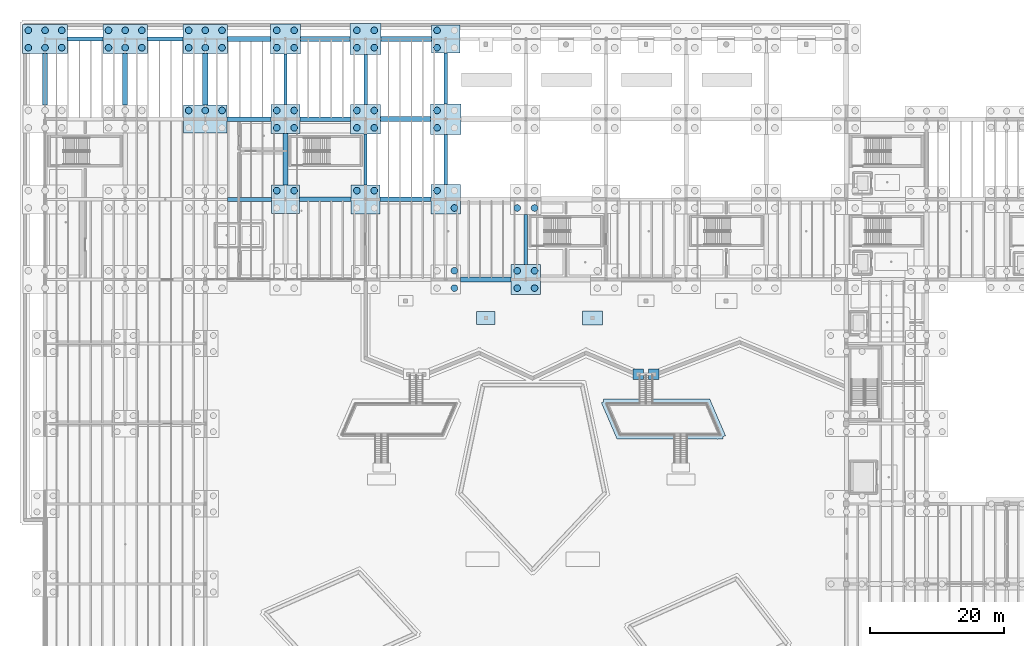
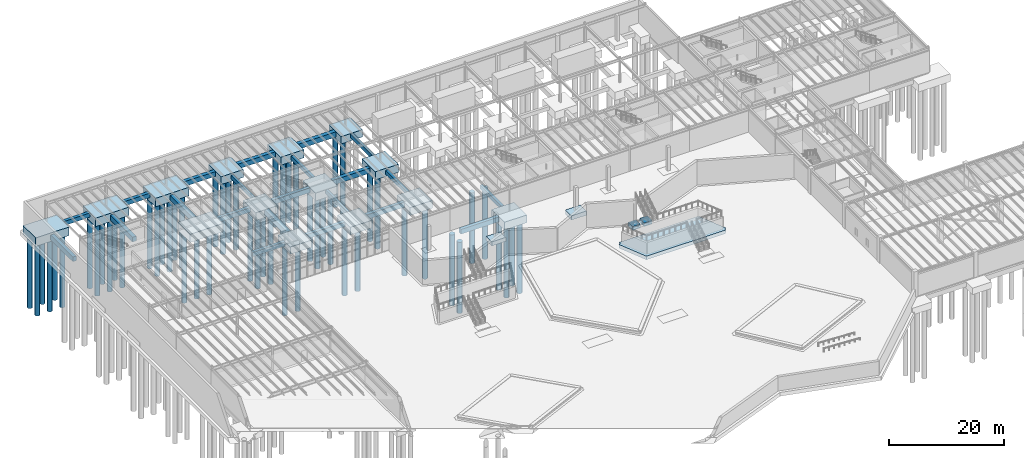
# One storey, part 5 of 67: 55 piles, 41 footings.
"""IFC4 building model written with IfcOpenShell, lengths in metres."""

from ifc_helpers import new_model, si_unit, direction, frame, origin, origin_2d, place, context, subcontext, project, spatial, polyline, rectangle, circle, outline, extrude, material, material_profile, profile_set, type_object, element, save


model = new_model("IFC4")

# Units and contexts
model_context = context("Model", 3, precision=1e-05, world=origin(), true_north=direction((0.0, 1.0)))
body_context = subcontext(model_context, "Body", "Model", "MODEL_VIEW")
ifc_project = project(units=[si_unit("LENGTHUNIT", "METRE"), si_unit("AREAUNIT", "SQUARE_METRE"), si_unit("VOLUMEUNIT", "CUBIC_METRE"), si_unit("PLANEANGLEUNIT", "RADIAN"), si_unit("MASSUNIT", "GRAM", prefix="KILO")], contexts=[model_context])

# Site, building, storey
site_placement = place(None, origin())
site = spatial("IfcSite", under=ifc_project, at=site_placement, CompositionType="ELEMENT")
building_placement = place(site_placement, origin())
building = spatial("IfcBuilding", under=site, at=building_placement, Name="Zlatogorsky Bluff Art Gallery", CompositionType="ELEMENT")
storey_placement = place(building_placement, frame((0.0, 0.0, -5.39990234375)))
storey = spatial("IfcBuildingStorey", under=building, at=storey_placement, Name="B1", CompositionType="ELEMENT", Elevation=-5.39990234375)

# Piles
ifc_material = material(Name="Concrete C35/45", Category="concrete")
ifc_material_profile = material_profile(ifc_material, circle(Radius=0.5, at=origin_2d()), Name="BORED PILE D1000")
ifc_profile_set = profile_set([ifc_material_profile], Name="Concrete C35/45")
pile_type = type_object("IfcPileType", Name="Bored Pile D1000 C35/45", PredefinedType="BORED", material=ifc_profile_set)
for number, where, z_axis, x_axis, name in (
    (1, (-2.5, 118.699951171875, -1.7001953125), (0.0, 0.0, -1.0), (1.0, 0.0, 0.0), "Bored pile PL-02 00.11.1"),
    (2, (0.0, 118.699951171875, -1.7001953125), (0.0, 0.0, -1.0), (1.0, 0.0, 0.0), "Bored pile PL-02 00.11.2"),
    (3, (2.5, 118.699951171875, -1.7001953125), (0.0, 0.0, -1.0), (1.0, 0.0, 0.0), "Bored pile PL-02 00.11.3"),
    (4, (-2.5, 121.300048828125, -1.7001953125), (0.0, 0.0, -1.0), (1.0, 0.0, 0.0), "Bored pile PL-02 00.11.4"),
    (5, (0.0, 121.300048828125, -1.7001953125), (0.0, 0.0, -1.0), (1.0, 0.0, 0.0), "Bored pile PL-02 00.11.5"),
    (6, (2.5, 121.300048828125, -1.7001953125), (0.0, 0.0, -1.0), (1.0, 0.0, 0.0), "Bored pile PL-02 00.11.6"),
    (7, (9.5, 118.699951171875, -1.7001953125), (0.0, 0.0, -1.0), (1.0, 0.0, 0.0), "Bored pile PL-02 01.11.1"),
    (8, (12.0, 118.699951171875, -1.7001953125), (0.0, 0.0, -1.0), (1.0, 0.0, 0.0), "Bored pile PL-02 01.11.2"),
    (9, (14.5, 118.699951171875, -1.7001953125), (0.0, 0.0, -1.0), (1.0, 0.0, 0.0), "Bored pile PL-02 01.11.3"),
    (10, (9.5, 121.300048828125, -1.7001953125), (0.0, 0.0, -1.0), (1.0, 0.0, 0.0), "Bored pile PL-02 01.11.4"),
    (11, (12.0, 121.300048828125, -1.7001953125), (0.0, 0.0, -1.0), (1.0, 0.0, 0.0), "Bored pile PL-02 01.11.5"),
    (12, (14.5, 121.300048828125, -1.7001953125), (0.0, 0.0, -1.0), (1.0, 0.0, 0.0), "Bored pile PL-02 01.11.6"),
):
    element("IfcPile", number, at=place(storey_placement, frame(where, z_axis=z_axis, x_axis=x_axis)), inside=storey, type_object=pile_type, Name=name, PredefinedType="BORED", context=body_context, shape_type="SweptSolid", body=[
        extrude(circle(Radius=0.5, at=origin_2d()), origin(), (0.0, 0.0, 1.0), 15.300048828125),
    ])
for number, where, z_axis, x_axis, name in (
    (13, (21.5, 109.300048828125, -2.050048828125), (0.0, 0.0, -1.0), (1.0, 0.0, 0.0), "Bored pile PL-02 02.10.4"),
    (14, (24.0, 109.300048828125, -2.050048828125), (0.0, 0.0, -1.0), (1.0, 0.0, 0.0), "Bored pile PL-02 02.10.5"),
    (15, (26.5, 109.300048828125, -2.050048828125), (0.0, 0.0, -1.0), (1.0, 0.0, 0.0), "Bored pile PL-02 02.10.6"),
):
    element("IfcPile", number, at=place(storey_placement, frame(where, z_axis=z_axis, x_axis=x_axis)), inside=storey, type_object=pile_type, Name=name, PredefinedType="BORED", context=body_context, shape_type="SweptSolid", body=[
        extrude(circle(Radius=0.5, at=origin_2d()), origin(), (0.0, 0.0, 1.0), 14.949951171875),
    ])
for number, where, z_axis, x_axis, name in (
    (16, (21.5, 118.699951171875, -1.7001953125), (0.0, 0.0, -1.0), (1.0, 0.0, 0.0), "Bored pile PL-02 02.11.1"),
    (17, (24.0, 118.699951171875, -1.7001953125), (0.0, 0.0, -1.0), (1.0, 0.0, 0.0), "Bored pile PL-02 02.11.2"),
    (18, (26.5, 118.699951171875, -1.7001953125), (0.0, 0.0, -1.0), (1.0, 0.0, 0.0), "Bored pile PL-02 02.11.3"),
    (19, (21.5, 121.300048828125, -1.7001953125), (0.0, 0.0, -1.0), (1.0, 0.0, 0.0), "Bored pile PL-02 02.11.4"),
    (20, (24.0, 121.300048828125, -1.7001953125), (0.0, 0.0, -1.0), (1.0, 0.0, 0.0), "Bored pile PL-02 02.11.5"),
    (21, (26.5, 121.300048828125, -1.7001953125), (0.0, 0.0, -1.0), (1.0, 0.0, 0.0), "Bored pile PL-02 02.11.6"),
):
    element("IfcPile", number, at=place(storey_placement, frame(where, z_axis=z_axis, x_axis=x_axis)), inside=storey, type_object=pile_type, Name=name, PredefinedType="BORED", context=body_context, shape_type="SweptSolid", body=[
        extrude(circle(Radius=0.5, at=origin_2d()), origin(), (0.0, 0.0, 1.0), 15.300048828125),
    ])
for number, where, z_axis, x_axis, name in (
    (22, (34.699951171875, 97.300048828125, -1.85009765625), (0.0, 0.0, -1.0), (1.0, 0.0, 0.0), "Bored pile PL-02 03.09.2"),
    (23, (37.300048828125, 97.300048828125, -1.85009765625), (0.0, 0.0, -1.0), (1.0, 0.0, 0.0), "Bored pile PL-02 03.09.4"),
):
    element("IfcPile", number, at=place(storey_placement, frame(where, z_axis=z_axis, x_axis=x_axis)), inside=storey, type_object=pile_type, Name=name, PredefinedType="BORED", context=body_context, shape_type="SweptSolid", body=[
        extrude(circle(Radius=0.5, at=origin_2d()), origin(), (0.0, 0.0, 1.0), 15.14990234375),
    ])
for number, where, z_axis, x_axis, name in (
    (24, (34.699951171875, 106.699951171875, -1.900146484375), (0.0, 0.0, -1.0), (1.0, 0.0, 0.0), "Bored pile PL-02 03.10.1"),
    (25, (34.699951171875, 109.300048828125, -1.900146484375), (0.0, 0.0, -1.0), (1.0, 0.0, 0.0), "Bored pile PL-02 03.10.2"),
    (26, (37.300048828125, 106.699951171875, -1.900146484375), (0.0, 0.0, -1.0), (1.0, 0.0, 0.0), "Bored pile PL-02 03.10.3"),
    (27, (37.300048828125, 109.300048828125, -1.900146484375), (0.0, 0.0, -1.0), (1.0, 0.0, 0.0), "Bored pile PL-02 03.10.4"),
):
    element("IfcPile", number, at=place(storey_placement, frame(where, z_axis=z_axis, x_axis=x_axis)), inside=storey, type_object=pile_type, Name=name, PredefinedType="BORED", context=body_context, shape_type="SweptSolid", body=[
        extrude(circle(Radius=0.5, at=origin_2d()), origin(), (0.0, 0.0, 1.0), 15.10009765625),
    ])
for number, where, z_axis, x_axis, name in (
    (28, (34.699951171875, 118.699951171875, -1.550048828125), (0.0, 0.0, -1.0), (1.0, 0.0, 0.0), "Bored pile PL-02 03.11.1"),
    (29, (34.699951171875, 121.300048828125, -1.550048828125), (0.0, 0.0, -1.0), (1.0, 0.0, 0.0), "Bored pile PL-02 03.11.2"),
    (30, (37.300048828125, 118.699951171875, -1.550048828125), (0.0, 0.0, -1.0), (1.0, 0.0, 0.0), "Bored pile PL-02 03.11.3"),
    (31, (37.300048828125, 121.300048828125, -1.550048828125), (0.0, 0.0, -1.0), (1.0, 0.0, 0.0), "Bored pile PL-02 03.11.4"),
):
    element("IfcPile", number, at=place(storey_placement, frame(where, z_axis=z_axis, x_axis=x_axis)), inside=storey, type_object=pile_type, Name=name, PredefinedType="BORED", context=body_context, shape_type="SweptSolid", body=[
        extrude(circle(Radius=0.5, at=origin_2d()), origin(), (0.0, 0.0, 1.0), 15.449951171875),
    ])
for number, where, z_axis, x_axis, name in (
    (32, (46.699951171875, 97.300048828125, -1.900146484375), (0.0, 0.0, -1.0), (1.0, 0.0, 0.0), "Bored pile PL-02 04.09.2"),
    (33, (49.300048828125, 97.300048828125, -1.900146484375), (0.0, 0.0, -1.0), (1.0, 0.0, 0.0), "Bored pile PL-02 04.09.4"),
):
    element("IfcPile", number, at=place(storey_placement, frame(where, z_axis=z_axis, x_axis=x_axis)), inside=storey, type_object=pile_type, Name=name, PredefinedType="BORED", context=body_context, shape_type="SweptSolid", body=[
        extrude(circle(Radius=0.5, at=origin_2d()), origin(), (0.0, 0.0, 1.0), 15.10009765625),
    ])
for number, where, z_axis, x_axis, name in (
    (34, (46.699951171875, 106.699951171875, -1.9501953125), (0.0, 0.0, -1.0), (1.0, 0.0, 0.0), "Bored pile PL-02 04.10.1"),
    (35, (46.699951171875, 109.300048828125, -1.9501953125), (0.0, 0.0, -1.0), (1.0, 0.0, 0.0), "Bored pile PL-02 04.10.2"),
    (36, (49.300048828125, 106.699951171875, -1.9501953125), (0.0, 0.0, -1.0), (1.0, 0.0, 0.0), "Bored pile PL-02 04.10.3"),
    (37, (49.300048828125, 109.300048828125, -1.9501953125), (0.0, 0.0, -1.0), (1.0, 0.0, 0.0), "Bored pile PL-02 04.10.4"),
):
    element("IfcPile", number, at=place(storey_placement, frame(where, z_axis=z_axis, x_axis=x_axis)), inside=storey, type_object=pile_type, Name=name, PredefinedType="BORED", context=body_context, shape_type="SweptSolid", body=[
        extrude(circle(Radius=0.5, at=origin_2d()), origin(), (0.0, 0.0, 1.0), 15.050048828125),
    ])
for number, where, z_axis, x_axis, name in (
    (38, (46.699951171875, 118.699951171875, -1.60009765625), (0.0, 0.0, -1.0), (1.0, 0.0, 0.0), "Bored pile PL-02 04.11.1"),
    (39, (46.699951171875, 121.300048828125, -1.60009765625), (0.0, 0.0, -1.0), (1.0, 0.0, 0.0), "Bored pile PL-02 04.11.2"),
    (40, (49.300048828125, 118.699951171875, -1.60009765625), (0.0, 0.0, -1.0), (1.0, 0.0, 0.0), "Bored pile PL-02 04.11.3"),
    (41, (49.300048828125, 121.300048828125, -1.60009765625), (0.0, 0.0, -1.0), (1.0, 0.0, 0.0), "Bored pile PL-02 04.11.4"),
):
    element("IfcPile", number, at=place(storey_placement, frame(where, z_axis=z_axis, x_axis=x_axis)), inside=storey, type_object=pile_type, Name=name, PredefinedType="BORED", context=body_context, shape_type="SweptSolid", body=[
        extrude(circle(Radius=0.5, at=origin_2d()), origin(), (0.0, 0.0, 1.0), 15.39990234375),
    ])
for number, where, z_axis, x_axis, name in (
    (42, (61.300048828125, 82.699951171875, -1.900146484375), (0.0, 0.0, -1.0), (1.0, 0.0, 0.0), "Bored pile PL-02 05.08.3"),
    (43, (61.300048828125, 85.300048828125, -1.900146484375), (0.0, 0.0, -1.0), (1.0, 0.0, 0.0), "Bored pile PL-02 05.08.4"),
):
    element("IfcPile", number, at=place(storey_placement, frame(where, z_axis=z_axis, x_axis=x_axis)), inside=storey, type_object=pile_type, Name=name, PredefinedType="BORED", context=body_context, shape_type="SweptSolid", body=[
        extrude(circle(Radius=0.5, at=origin_2d()), origin(), (0.0, 0.0, 1.0), 15.10009765625),
    ])
for number, where, z_axis, x_axis, name in (
    (44, (58.699951171875, 97.300048828125, -1.9501953125), (0.0, 0.0, -1.0), (1.0, 0.0, 0.0), "Bored pile PL-02 05.09.2"),
    (45, (61.300048828125, 94.699951171875, -1.9501953125), (0.0, 0.0, -1.0), (1.0, 0.0, 0.0), "Bored pile PL-02 05.09.3"),
):
    element("IfcPile", number, at=place(storey_placement, frame(where, z_axis=z_axis, x_axis=x_axis)), inside=storey, type_object=pile_type, Name=name, PredefinedType="BORED", context=body_context, shape_type="SweptSolid", body=[
        extrude(circle(Radius=0.5, at=origin_2d()), origin(), (0.0, 0.0, 1.0), 15.050048828125),
    ])
for number, where, z_axis, x_axis, name in (
    (46, (58.699951171875, 106.699951171875, -1.60009765625), (0.0, 0.0, -1.0), (1.0, 0.0, 0.0), "Bored pile PL-02 05.10.1"),
    (47, (58.699951171875, 109.300048828125, -1.60009765625), (0.0, 0.0, -1.0), (1.0, 0.0, 0.0), "Bored pile PL-02 05.10.2"),
):
    element("IfcPile", number, at=place(storey_placement, frame(where, z_axis=z_axis, x_axis=x_axis)), inside=storey, type_object=pile_type, Name=name, PredefinedType="BORED", context=body_context, shape_type="SweptSolid", body=[
        extrude(circle(Radius=0.5, at=origin_2d()), origin(), (0.0, 0.0, 1.0), 15.39990234375),
    ])
for number, where, z_axis, x_axis, name in (
    (48, (58.699951171875, 118.699951171875, -1.4501953125), (0.0, 0.0, -1.0), (1.0, 0.0, 0.0), "Bored pile PL-02 05.11.1"),
    (49, (58.699951171875, 121.300048828125, -1.4501953125), (0.0, 0.0, -1.0), (1.0, 0.0, 0.0), "Bored pile PL-02 05.11.2"),
):
    element("IfcPile", number, at=place(storey_placement, frame(where, z_axis=z_axis, x_axis=x_axis)), inside=storey, type_object=pile_type, Name=name, PredefinedType="BORED", context=body_context, shape_type="SweptSolid", body=[
        extrude(circle(Radius=0.5, at=origin_2d()), origin(), (0.0, 0.0, 1.0), 15.550048828125),
    ])
for number, where, z_axis, x_axis, name in (
    (50, (70.699951171875, 82.699951171875, -1.9501953125), (0.0, 0.0, -1.0), (1.0, 0.0, 0.0), "Bored pile PL-02 06.08.1"),
    (51, (70.699951171875, 85.300048828125, -1.9501953125), (0.0, 0.0, -1.0), (1.0, 0.0, 0.0), "Bored pile PL-02 06.08.2"),
    (52, (73.300048828125, 82.699951171875, -1.9501953125), (0.0, 0.0, -1.0), (1.0, 0.0, 0.0), "Bored pile PL-02 06.08.3"),
    (53, (73.300048828125, 85.300048828125, -1.9501953125), (0.0, 0.0, -1.0), (1.0, 0.0, 0.0), "Bored pile PL-02 06.08.4"),
):
    element("IfcPile", number, at=place(storey_placement, frame(where, z_axis=z_axis, x_axis=x_axis)), inside=storey, type_object=pile_type, Name=name, PredefinedType="BORED", context=body_context, shape_type="SweptSolid", body=[
        extrude(circle(Radius=0.5, at=origin_2d()), origin(), (0.0, 0.0, 1.0), 15.050048828125),
    ])
for number, where, z_axis, x_axis, name in (
    (54, (70.699951171875, 94.699951171875, -2.0), (0.0, 0.0, -1.0), (1.0, 0.0, 0.0), "Bored pile PL-02 06.09.1"),
    (55, (73.300048828125, 94.699951171875, -2.0), (0.0, 0.0, -1.0), (1.0, 0.0, 0.0), "Bored pile PL-02 06.09.3"),
):
    element("IfcPile", number, at=place(storey_placement, frame(where, z_axis=z_axis, x_axis=x_axis)), inside=storey, type_object=pile_type, Name=name, PredefinedType="BORED", context=body_context, shape_type="SweptSolid", body=[
        extrude(circle(Radius=0.5, at=origin_2d()), origin(), (0.0, 0.0, 1.0), 15.0),
    ])

# Footings
footing_type_1 = type_object("IfcFootingType", Name="Foundation FB-01 450x750", PredefinedType="FOOTING_BEAM", material=ifc_material)
footing_1_placement = place(storey_placement, frame((0.0, 0.0, -1.150146484375)))
element("IfcFooting", 56, at=footing_1_placement, inside=storey, type_object=footing_type_1, Name="Ground tie beam FB-01 D/11-12", PredefinedType="FOOTING_BEAM", context=body_context, shape_type="SweptSolid", body=[
    extrude(outline(polyline([(35.77490234375, 110.175048828125), (36.22509765625, 110.175048828125), (36.22509765625, 117.77490234375), (35.77490234375, 117.77490234375), (35.77490234375, 110.175048828125)])), origin(), (0.0, 0.0, 1.0), 0.75),
])
footing_2_placement = place(storey_placement, frame((0.0, 0.0, -1.150146484375)))
element("IfcFooting", 57, at=footing_2_placement, inside=storey, type_object=footing_type_1, Name="Ground tie beam FB-01 E/10-11", PredefinedType="FOOTING_BEAM", context=body_context, shape_type="SweptSolid", body=[
    extrude(outline(polyline([(47.77490234375, 98.175048828125), (48.22509765625, 98.175048828125), (48.22509765625, 105.77490234375), (47.77490234375, 105.77490234375), (47.77490234375, 98.175048828125)])), origin(), (0.0, 0.0, 1.0), 0.75),
])
footing_type_2 = type_object("IfcFootingType", Name="Foundation FB-02 500x800", PredefinedType="FOOTING_BEAM", material=ifc_material)
footing_3_placement = place(storey_placement, frame((0.0, 0.0, -1.2001953125)))
element("IfcFooting", 58, at=footing_3_placement, inside=storey, type_object=footing_type_2, Name="Ground tie beam FB-02 E/11-12", PredefinedType="FOOTING_BEAM", context=body_context, shape_type="SweptSolid", body=[
    extrude(outline(polyline([(47.75, 110.22509765625), (48.25, 110.22509765625), (48.25, 117.699951171875), (47.75, 117.699951171875), (47.75, 110.22509765625)])), origin(), (0.0, 0.0, 1.0), 0.800048828125),
])
footing_4_placement = place(storey_placement, frame((0.0, 0.0, -1.2001953125)))
element("IfcFooting", 59, at=footing_4_placement, inside=storey, type_object=footing_type_2, Name="Ground tie beam FB-02 F/10-11", PredefinedType="FOOTING_BEAM", context=body_context, shape_type="SweptSolid", body=[
    extrude(outline(polyline([(59.75, 98.22509765625), (60.25, 98.22509765625), (60.25, 105.699951171875), (59.75, 105.699951171875), (59.75, 98.22509765625)])), origin(), (0.0, 0.0, 1.0), 0.800048828125),
])
footing_5_placement = place(storey_placement, frame((0.0, 0.0, -1.2001953125)))
element("IfcFooting", 60, at=footing_5_placement, inside=storey, type_object=footing_type_2, Name="Ground tie beam FB-02 G/9-10", PredefinedType="FOOTING_BEAM", context=body_context, shape_type="SweptSolid", body=[
    extrude(outline(polyline([(71.75, 86.22509765625), (72.25, 86.22509765625), (72.25, 93.699951171875), (71.75, 93.699951171875), (71.75, 86.22509765625)])), origin(), (0.0, 0.0, 1.0), 0.800048828125),
])
footing_type_3 = type_object("IfcFootingType", Name="Foundation FB-03 550x850", PredefinedType="FOOTING_BEAM", material=ifc_material)
footing_6_placement = place(storey_placement, frame((0.0, 0.0, -0.85009765625)))
element("IfcFooting", 61, at=footing_6_placement, inside=storey, type_object=footing_type_3, Name="Ground tie beam FB-03 F/11-12", PredefinedType="FOOTING_BEAM", context=body_context, shape_type="SweptSolid", body=[
    extrude(outline(polyline([(59.72509765625, 110.300048828125), (60.27490234375, 110.300048828125), (60.27490234375, 117.875), (59.72509765625, 117.875), (59.72509765625, 110.300048828125)])), origin(), (0.0, 0.0, 1.0), 0.85009765625),
])
footing_type_4 = type_object("IfcFootingType", Name="Foundation FB-04 600x900", PredefinedType="FOOTING_BEAM", material=ifc_material)
footing_7_placement = place(storey_placement, frame((0.0, 0.0, -0.900146484375)))
element("IfcFooting", 62, at=footing_7_placement, inside=storey, type_object=footing_type_4, Name="Ground tie beam FB-04 A-B/12", PredefinedType="FOOTING_BEAM", context=body_context, shape_type="SweptSolid", body=[
    extrude(outline(polyline([(3.35009765625, 119.699951171875), (8.64990234375, 119.699951171875), (8.64990234375, 120.300048828125), (3.35009765625, 120.300048828125), (3.35009765625, 119.699951171875)])), origin(), (0.0, 0.0, 1.0), 0.900146484375),
])
footing_8_placement = place(storey_placement, frame((0.0, 0.0, -1.300048828125)))
element("IfcFooting", 63, at=footing_8_placement, inside=storey, type_object=footing_type_4, Name="Ground tie beam FB-04 C-D/10", PredefinedType="FOOTING_BEAM", context=body_context, shape_type="SweptSolid", body=[
    extrude(outline(polyline([(27.35009765625, 95.699951171875), (33.875, 95.699951171875), (33.875, 96.300048828125), (27.35009765625, 96.300048828125), (27.35009765625, 95.699951171875)])), origin(), (0.0, 0.0, 1.0), 0.89990234375),
])
footing_type_5 = type_object("IfcFootingType", Name="Foundation FB-05 650x950", PredefinedType="FOOTING_BEAM", material=ifc_material)
footing_9_placement = place(storey_placement, frame((0.0, 0.0, -0.9501953125)))
element("IfcFooting", 64, at=footing_9_placement, inside=storey, type_object=footing_type_5, Name="Ground tie beam FB-05 B-C/12", PredefinedType="FOOTING_BEAM", context=body_context, shape_type="SweptSolid", body=[
    extrude(outline(polyline([(15.35009765625, 119.675048828125), (20.64990234375, 119.675048828125), (20.64990234375, 120.324951171875), (15.35009765625, 120.324951171875), (15.35009765625, 119.675048828125)])), origin(), (0.0, 0.0, 1.0), 0.9501953125),
])
footing_10_placement = place(storey_placement, frame((0.0, 0.0, -1.35009765625)))
element("IfcFooting", 65, at=footing_10_placement, inside=storey, type_object=footing_type_5, Name="Ground tie beam FB-05 C-D/11", PredefinedType="FOOTING_BEAM", context=body_context, shape_type="SweptSolid", body=[
    extrude(outline(polyline([(27.27490234375, 107.675048828125), (33.824951171875, 107.675048828125), (33.824951171875, 108.324951171875), (27.27490234375, 108.324951171875), (27.27490234375, 107.675048828125)])), origin(), (0.0, 0.0, 1.0), 0.949951171875),
])
footing_11_placement = place(storey_placement, frame((0.0, 0.0, -1.35009765625)))
element("IfcFooting", 66, at=footing_11_placement, inside=storey, type_object=footing_type_5, Name="Ground tie beam FB-05 D-E/10", PredefinedType="FOOTING_BEAM", context=body_context, shape_type="SweptSolid", body=[
    extrude(outline(polyline([(38.125, 95.675048828125), (45.824951171875, 95.675048828125), (45.824951171875, 96.324951171875), (38.125, 96.324951171875), (38.125, 95.675048828125)])), origin(), (0.0, 0.0, 1.0), 0.949951171875),
])
footing_type_6 = type_object("IfcFootingType", Name="Foundation FB-06 700x1000", PredefinedType="FOOTING_BEAM", material=ifc_material)
footing_12_placement = place(storey_placement, frame((0.0, 0.0, -1.400146484375)))
element("IfcFooting", 67, at=footing_12_placement, inside=storey, type_object=footing_type_6, Name="Ground tie beam FB-06 A/11-12", PredefinedType="FOOTING_BEAM", context=body_context, shape_type="SweptSolid", body=[
    extrude(outline(polyline([(-0.35009765625, 110.10009765625), (0.35009765625, 110.10009765625), (0.35009765625, 117.824951171875), (-0.35009765625, 117.824951171875), (-0.35009765625, 110.10009765625)])), origin(), (0.0, 0.0, 1.0), 1.0),
])
footing_13_placement = place(storey_placement, frame((0.0, 0.0, -1.0)))
element("IfcFooting", 68, at=footing_13_placement, inside=storey, type_object=footing_type_6, Name="Ground tie beam FB-06 C-D/12", PredefinedType="FOOTING_BEAM", context=body_context, shape_type="SweptSolid", body=[
    extrude(outline(polyline([(27.35009765625, 119.64990234375), (33.77490234375, 119.64990234375), (33.77490234375, 120.35009765625), (27.35009765625, 120.35009765625), (27.35009765625, 119.64990234375)])), origin(), (0.0, 0.0, 1.0), 1.0),
])
footing_14_placement = place(storey_placement, frame((0.0, 0.0, -1.400146484375)))
element("IfcFooting", 69, at=footing_14_placement, inside=storey, type_object=footing_type_6, Name="Ground tie beam FB-06 D-E/11", PredefinedType="FOOTING_BEAM", context=body_context, shape_type="SweptSolid", body=[
    extrude(outline(polyline([(38.175048828125, 107.64990234375), (45.77490234375, 107.64990234375), (45.77490234375, 108.35009765625), (38.175048828125, 108.35009765625), (38.175048828125, 107.64990234375)])), origin(), (0.0, 0.0, 1.0), 1.0),
])
footing_15_placement = place(storey_placement, frame((0.0, 0.0, -1.400146484375)))
element("IfcFooting", 70, at=footing_15_placement, inside=storey, type_object=footing_type_6, Name="Ground tie beam FB-06 E-F/10", PredefinedType="FOOTING_BEAM", context=body_context, shape_type="SweptSolid", body=[
    extrude(outline(polyline([(50.175048828125, 95.64990234375), (57.77490234375, 95.64990234375), (57.77490234375, 96.35009765625), (50.175048828125, 96.35009765625), (50.175048828125, 95.64990234375)])), origin(), (0.0, 0.0, 1.0), 1.0),
])
footing_16_placement = place(storey_placement, frame((0.0, 0.0, -1.400146484375)))
element("IfcFooting", 71, at=footing_16_placement, inside=storey, type_object=footing_type_6, Name="Ground tie beam FB-06 F-G/9", PredefinedType="FOOTING_BEAM", context=body_context, shape_type="SweptSolid", body=[
    extrude(outline(polyline([(62.175048828125, 83.64990234375), (69.77490234375, 83.64990234375), (69.77490234375, 84.35009765625), (62.175048828125, 84.35009765625), (62.175048828125, 83.64990234375)])), origin(), (0.0, 0.0, 1.0), 1.0),
])
footing_type_7 = type_object("IfcFootingType", Name="Foundation FB-07 750x1050", PredefinedType="FOOTING_BEAM", material=ifc_material)
footing_17_placement = place(storey_placement, frame((0.0, 0.0, -1.4501953125)))
element("IfcFooting", 72, at=footing_17_placement, inside=storey, type_object=footing_type_7, Name="Ground tie beam FB-07 B/11-12", PredefinedType="FOOTING_BEAM", context=body_context, shape_type="SweptSolid", body=[
    extrude(outline(polyline([(11.625, 110.10009765625), (12.375, 110.10009765625), (12.375, 117.824951171875), (11.625, 117.824951171875), (11.625, 110.10009765625)])), origin(), (0.0, 0.0, 1.0), 1.050048828125),
])
footing_18_placement = place(storey_placement, frame((0.0, 0.0, -1.050048828125)))
element("IfcFooting", 73, at=footing_18_placement, inside=storey, type_object=footing_type_7, Name="Ground tie beam FB-07 D-E/12", PredefinedType="FOOTING_BEAM", context=body_context, shape_type="SweptSolid", body=[
    extrude(outline(polyline([(38.22509765625, 119.625), (45.699951171875, 119.625), (45.699951171875, 120.375), (38.22509765625, 120.375), (38.22509765625, 119.625)])), origin(), (0.0, 0.0, 1.0), 1.050048828125),
])
footing_19_placement = place(storey_placement, frame((0.0, 0.0, -1.4501953125)))
element("IfcFooting", 74, at=footing_19_placement, inside=storey, type_object=footing_type_7, Name="Ground tie beam FB-07 E-F/11", PredefinedType="FOOTING_BEAM", context=body_context, shape_type="SweptSolid", body=[
    extrude(outline(polyline([(50.22509765625, 107.625), (57.699951171875, 107.625), (57.699951171875, 108.375), (50.22509765625, 108.375), (50.22509765625, 107.625)])), origin(), (0.0, 0.0, 1.0), 1.050048828125),
])
footing_type_8 = type_object("IfcFootingType", Name="Foundation FB-08 800x1100", PredefinedType="FOOTING_BEAM", material=ifc_material)
footing_20_placement = place(storey_placement, frame((0.0, 0.0, -1.5)))
element("IfcFooting", 75, at=footing_20_placement, inside=storey, type_object=footing_type_8, Name="Ground tie beam FB-08 C/11-12", PredefinedType="FOOTING_BEAM", context=body_context, shape_type="SweptSolid", body=[
    extrude(outline(polyline([(23.60009765625, 110.10009765625), (24.39990234375, 110.10009765625), (24.39990234375, 117.824951171875), (23.60009765625, 117.824951171875), (23.60009765625, 110.10009765625)])), origin(), (0.0, 0.0, 1.0), 1.099853515625),
])
footing_21_placement = place(storey_placement, frame((0.0, 0.0, -1.5)))
element("IfcFooting", 76, at=footing_21_placement, inside=storey, type_object=footing_type_8, Name="Ground tie beam FB-08 D/10-11", PredefinedType="FOOTING_BEAM", context=body_context, shape_type="SweptSolid", body=[
    extrude(outline(polyline([(35.60009765625, 98.125), (36.39990234375, 98.125), (36.39990234375, 105.824951171875), (35.60009765625, 105.824951171875), (35.60009765625, 98.125)])), origin(), (0.0, 0.0, 1.0), 1.099853515625),
])
footing_22_placement = place(storey_placement, frame((0.0, 0.0, -1.10009765625)))
element("IfcFooting", 77, at=footing_22_placement, inside=storey, type_object=footing_type_8, Name="Ground tie beam FB-08 E-F/12", PredefinedType="FOOTING_BEAM", context=body_context, shape_type="SweptSolid", body=[
    extrude(outline(polyline([(50.300048828125, 119.60009765625), (57.875, 119.60009765625), (57.875, 120.39990234375), (50.300048828125, 120.39990234375), (50.300048828125, 119.60009765625)])), origin(), (0.0, 0.0, 1.0), 1.10009765625),
])
footing_type_9 = type_object("IfcFootingType", Name="Foundation SF-04 1350x750", PredefinedType="STRIP_FOOTING", material=ifc_material)
footing_23_placement = place(storey_placement, frame((0.0, 0.0, -0.75)))
element("IfcFooting", 78, at=footing_23_placement, inside=storey, type_object=footing_type_9, Name="Stepped bluff terrace strip footing SF-04 11", PredefinedType="STRIP_FOOTING", context=body_context, shape_type="SweptSolid", body=[
    extrude(outline(polyline([(83.302001953125, 65.546630859375), (83.64990234375, 65.6962890625), (83.64990234375, 66.074951171875), (84.530517578125, 66.074951171875), (84.542236328125, 66.080078125), (84.54443359375, 66.074951171875), (99.530517578125, 66.074951171875), (99.542236328125, 66.080078125), (99.54443359375, 66.074951171875), (99.550048828125, 66.074951171875), (99.550048828125, 66.06201171875), (101.54443359375, 61.425048828125), (101.550048828125, 61.425048828125), (101.550048828125, 61.412109375), (101.89794921875, 60.603271484375), (101.550048828125, 60.45361328125), (101.550048828125, 60.074951171875), (100.66943359375, 60.074951171875), (100.65771484375, 60.06982421875), (100.655517578125, 60.074951171875), (85.66943359375, 60.074951171875), (85.65771484375, 60.06982421875), (85.655517578125, 60.074951171875), (85.64990234375, 60.074951171875), (85.64990234375, 60.087890625), (83.655517578125, 64.72509765625), (83.64990234375, 64.72509765625), (83.64990234375, 64.73779296875), (83.302001953125, 65.546630859375)])), origin(), (0.0, 0.0, 1.0), 0.75),
])
footing_type_10 = type_object("IfcFootingType", Name="Pad Footing PF-06 2800x1950x850", PredefinedType="PAD_FOOTING", material=ifc_material)
footing_24_placement = place(storey_placement, frame((66.0, 78.199951171875, -0.85009765625), z_axis=(0.0, 0.0, 1.0), x_axis=(1.0, 0.0, 0.0)))
element("IfcFooting", 79, at=footing_24_placement, inside=storey, type_object=footing_type_10, Name="Pad footing PF-06", PredefinedType="PAD_FOOTING", context=body_context, shape_type="SweptSolid", body=[
    extrude(rectangle(XDim=2.800048828125, YDim=1.949951171875, at=origin_2d()), origin(), (0.0, 0.0, 1.0), 0.85009765625),
])
footing_type_11 = type_object("IfcFootingType", Name="Pad Footing PF-07 3000x2100x900", PredefinedType="PAD_FOOTING", material=ifc_material)
footing_25_placement = place(storey_placement, frame((82.0, 78.199951171875, -0.900146484375), z_axis=(0.0, 0.0, 1.0), x_axis=(1.0, 0.0, 0.0)))
element("IfcFooting", 80, at=footing_25_placement, inside=storey, type_object=footing_type_11, Name="Pad footing PF-07", PredefinedType="PAD_FOOTING", context=body_context, shape_type="SweptSolid", body=[
    extrude(rectangle(XDim=3.0, YDim=2.10009765625, at=origin_2d()), origin(), (0.0, 0.0, 1.0), 0.89990234375),
])
footing_type_12 = type_object("IfcFootingType", Name="Pad Footing PF-09 2200x1600x700", PredefinedType="PAD_FOOTING", material=ifc_material)
footing_26_placement = place(storey_placement, frame((0.0, 0.0, -0.800048828125)))
element("IfcFooting", 81, at=footing_26_placement, inside=storey, type_object=footing_type_12, Name="Amphitheatre stair bearing pad PAD-AMP-2-HW", PredefinedType="PAD_FOOTING", context=body_context, shape_type="SweptSolid", body=[
    extrude(outline(polyline([(88.050048828125, 69.0), (89.64990234375, 69.0), (89.64990234375, 70.60009765625), (88.050048828125, 70.60009765625), (88.050048828125, 69.0)])), origin(), (0.0, 0.0, 1.0), 0.800048828125),
])
footing_27_placement = place(storey_placement, frame((0.0, 0.0, -0.800048828125)))
element("IfcFooting", 82, at=footing_27_placement, inside=storey, type_object=footing_type_12, Name="Amphitheatre stair bearing pad PAD-AMP-2-HE", PredefinedType="PAD_FOOTING", context=body_context, shape_type="SweptSolid", body=[
    extrude(outline(polyline([(90.35009765625, 69.0), (91.949951171875, 69.0), (91.949951171875, 70.60009765625), (90.35009765625, 70.60009765625), (90.35009765625, 69.0)])), origin(), (0.0, 0.0, 1.0), 0.800048828125),
])
footing_type_13 = type_object("IfcFootingType", Name="Pile Cap PC-05 4250x4250x1550", PredefinedType="PILE_CAP", material=ifc_material)
for number, where, z_axis, x_axis, name in (
    (83, (36.0, 96.0, -1.9501953125), (0.0, 0.0, 1.0), (1.0, 0.0, 0.0), "Pile cap PC-05 at D10"),
    (84, (60.0, 120.0, -1.55029296875), (0.0, 0.0, 1.0), (1.0, 0.0, 0.0), "Pile cap PC-05 at F12"),
):
    element("IfcFooting", number, at=place(storey_placement, frame(where, z_axis=z_axis, x_axis=x_axis)), inside=storey, type_object=footing_type_13, Name=name, PredefinedType="PILE_CAP", context=body_context, shape_type="SweptSolid", body=[
        extrude(rectangle(XDim=4.25, YDim=4.25, at=origin_2d()), origin(), (0.0, 0.0, 1.0), 1.550048828125),
    ])
footing_type_14 = type_object("IfcFootingType", Name="Pile Cap PC-06 4350x4350x1600", PredefinedType="PILE_CAP", material=ifc_material)
for number, where, z_axis, x_axis, name in (
    (85, (36.0, 108.0, -2.000244140625), (0.0, 0.0, 1.0), (1.0, 0.0, 0.0), "Pile cap PC-06 at D11"),
    (86, (48.0, 96.0, -2.000244140625), (0.0, 0.0, 1.0), (1.0, 0.0, 0.0), "Pile cap PC-06 at E10"),
):
    element("IfcFooting", number, at=place(storey_placement, frame(where, z_axis=z_axis, x_axis=x_axis)), inside=storey, type_object=footing_type_14, Name=name, PredefinedType="PILE_CAP", context=body_context, shape_type="SweptSolid", body=[
        extrude(rectangle(XDim=4.35009765625, YDim=4.35009765625, at=origin_2d()), origin(), (0.0, 0.0, 1.0), 1.60009765625),
    ])
footing_type_15 = type_object("IfcFootingType", Name="Pile Cap PC-07 4450x4450x1650", PredefinedType="PILE_CAP", material=ifc_material)
for number, where, z_axis, x_axis, name in (
    (87, (36.0, 120.0, -1.650146484375), (0.0, 0.0, 1.0), (1.0, 0.0, 0.0), "Pile cap PC-07 at D12"),
    (88, (48.0, 108.0, -2.050048828125), (0.0, 0.0, 1.0), (1.0, 0.0, 0.0), "Pile cap PC-07 at E11"),
    (89, (60.0, 96.0, -2.050048828125), (0.0, 0.0, 1.0), (1.0, 0.0, 0.0), "Pile cap PC-07 at F10"),
    (90, (72.0, 84.0, -2.050048828125), (0.0, 0.0, 1.0), (1.0, 0.0, 0.0), "Pile cap PC-07 at G9"),
):
    element("IfcFooting", number, at=place(storey_placement, frame(where, z_axis=z_axis, x_axis=x_axis)), inside=storey, type_object=footing_type_15, Name=name, PredefinedType="PILE_CAP", context=body_context, shape_type="SweptSolid", body=[
        extrude(rectangle(XDim=4.449951171875, YDim=4.449951171875, at=origin_2d()), origin(), (0.0, 0.0, 1.0), 1.64990234375),
    ])
footing_type_16 = type_object("IfcFootingType", Name="Pile Cap PC-08 4600x4600x1700", PredefinedType="PILE_CAP", material=ifc_material)
for number, where, z_axis, x_axis, name in (
    (91, (48.0, 120.0, -1.7001953125), (0.0, 0.0, 1.0), (1.0, 0.0, 0.0), "Pile cap PC-08 at E12"),
    (92, (60.0, 108.0, -1.7001953125), (0.0, 0.0, 1.0), (1.0, 0.0, 0.0), "Pile cap PC-08 at F11"),
):
    element("IfcFooting", number, at=place(storey_placement, frame(where, z_axis=z_axis, x_axis=x_axis)), inside=storey, type_object=footing_type_16, Name=name, PredefinedType="PILE_CAP", context=body_context, shape_type="SweptSolid", body=[
        extrude(rectangle(XDim=4.60009765625, YDim=4.60009765625, at=origin_2d()), origin(), (0.0, 0.0, 1.0), 1.699951171875),
    ])
footing_type_17 = type_object("IfcFootingType", Name="Pile Cap PC-16 6550x4200x1750", PredefinedType="PILE_CAP", material=ifc_material)
footing_28_placement = place(storey_placement, frame((24.0, 108.0, -2.150146484375), z_axis=(0.0, 0.0, 1.0), x_axis=(1.0, 0.0, 0.0)))
element("IfcFooting", 93, at=footing_28_placement, inside=storey, type_object=footing_type_17, Name="Pile cap PC-16 at C11", PredefinedType="PILE_CAP", context=body_context, shape_type="SweptSolid", body=[
    extrude(rectangle(XDim=6.550048828125, YDim=4.199951171875, at=origin_2d()), origin(), (0.0, 0.0, 1.0), 1.75),
])
footing_type_18 = type_object("IfcFootingType", Name="Pile Cap PC-17 6700x4350x1800", PredefinedType="PILE_CAP", material=ifc_material)
for number, where, z_axis, x_axis, name in (
    (94, (0.0, 120.0, -1.80029296875), (0.0, 0.0, 1.0), (1.0, 0.0, 0.0), "Pile cap PC-17 at A12"),
    (95, (12.0, 120.0, -1.80029296875), (0.0, 0.0, 1.0), (1.0, 0.0, 0.0), "Pile cap PC-17 at B12"),
    (96, (24.0, 120.0, -1.80029296875), (0.0, 0.0, 1.0), (1.0, 0.0, 0.0), "Pile cap PC-17 at C12"),
):
    element("IfcFooting", number, at=place(storey_placement, frame(where, z_axis=z_axis, x_axis=x_axis)), inside=storey, type_object=footing_type_18, Name=name, PredefinedType="PILE_CAP", context=body_context, shape_type="SweptSolid", body=[
        extrude(rectangle(XDim=6.699951171875, YDim=4.35009765625, at=origin_2d()), origin(), (0.0, 0.0, 1.0), 1.800048828125),
    ])

save(model, "model.ifc")
